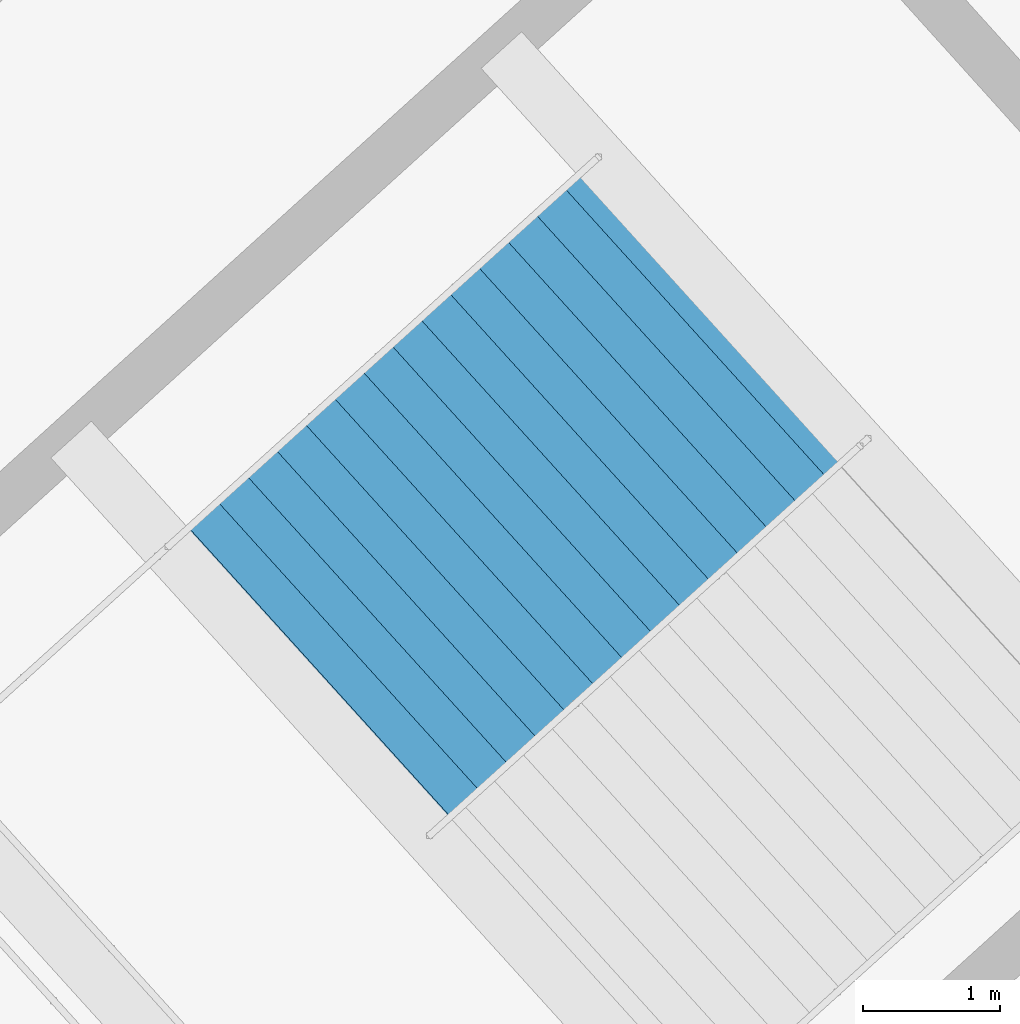
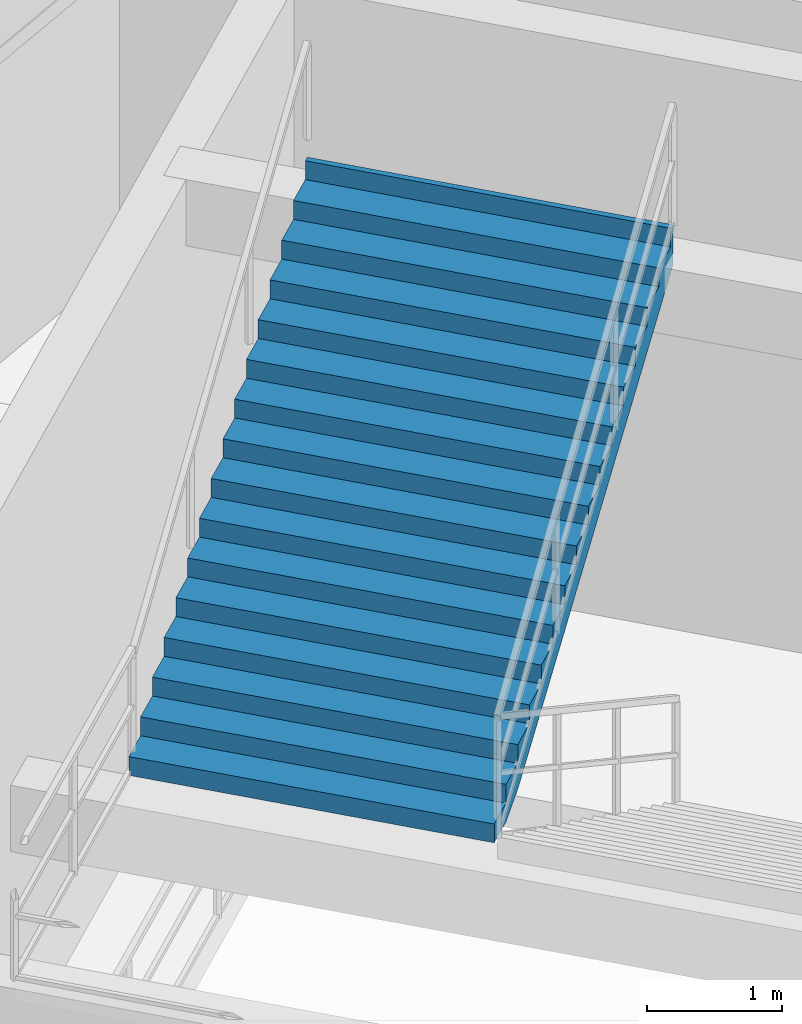
# One storey, part 160 of 186: 1 stair flight, 1 element without a shape of its own.
"""IFC4 building model written with IfcOpenShell, lengths in metres."""

from ifc_helpers import new_model, si_unit, direction, frame, origin, place, context, subcontext, project, spatial, polygons, material, type_object, element, aggregate, save


model = new_model("IFC4")

# Units and contexts
model_context = context("Model", 3, precision=1e-05, world=origin(), true_north=direction((0.0, 1.0)))
body_context = subcontext(model_context, "Body", "Model", "MODEL_VIEW")
ifc_project = project(units=[si_unit("LENGTHUNIT", "METRE"), si_unit("AREAUNIT", "SQUARE_METRE"), si_unit("VOLUMEUNIT", "CUBIC_METRE"), si_unit("PLANEANGLEUNIT", "RADIAN"), si_unit("MASSUNIT", "GRAM", prefix="KILO")], contexts=[model_context])

# Site, building, storey
site_placement = place(None, origin())
site = spatial("IfcSite", under=ifc_project, at=site_placement, CompositionType="ELEMENT")
building_placement = place(site_placement, origin())
building = spatial("IfcBuilding", under=site, at=building_placement, Name="Kazemori Nagisa Stadium", CompositionType="ELEMENT")
storey_placement = place(building_placement, frame((0.0, 0.0, 20.39990234375)))
storey = spatial("IfcBuildingStorey", under=building, at=storey_placement, Name="L04", CompositionType="ELEMENT", Elevation=20.39990234375)

# Stair, stair flight
ifc_material = material(Name="Concrete C36/45 (Fc36)", Category="concrete")
stair_type = type_object("IfcStairType", Name="Stair_CORE_32", PredefinedType="TWO_STRAIGHT_RUN_STAIR", material=ifc_material)
stair_placement = place(storey_placement, origin())
stair = element("IfcStair", 1, at=stair_placement, inside=storey, type_object=stair_type, Name="Exit stair ST02 L04", PredefinedType="TWO_STRAIGHT_RUN_STAIR")
stair_flight_type = type_object("IfcStairFlightType", Name="Flight_CORE_16", PredefinedType="STRAIGHT", material=ifc_material)
stair_flight_placement = place(storey_placement, frame((58.0458984375, 163.74609375, 2.72021484375), z_axis=(0.0, 0.0, 1.0), x_axis=(0.741328742395, 0.671142083093, 0.0)))
stair_flight = element("IfcStairFlight", 2, at=stair_flight_placement, type_object=stair_flight_type, Name="Exit stair ST02 L04 flight 2", NumberOfRisers=16, NumberOfTreads=15, PredefinedType="STRAIGHT", RiserHeight=0.17, TreadLength=0.285, context=body_context, shape_type="Tessellation", body=[
    polygons([(0.0, -1.425048828125, 0.0), (0.0, -1.425048828125, 0.169921875), (0.284912109375, -1.425048828125, 0.169921875), (0.284912109375, -1.425048828125, 0.340087890625), (0.570068359375, -1.425048828125, 0.340087890625), (0.570068359375, -1.425048828125, 0.510009765625), (0.85498046875, -1.425048828125, 0.510009765625), (0.85498046875, -1.425048828125, 0.679931640625), (1.139892578125, -1.425048828125, 0.679931640625), (1.139892578125, -1.425048828125, 0.85009765625), (1.425048828125, -1.425048828125, 0.85009765625), (1.425048828125, -1.425048828125, 1.02001953125), (1.7099609375, -1.425048828125, 1.02001953125), (1.7099609375, -1.425048828125, 1.18994140625), (1.9951171875, -1.425048828125, 1.18994140625), (1.9951171875, -1.425048828125, 1.360107421875), (2.280029296875, -1.425048828125, 1.360107421875), (2.280029296875, -1.425048828125, 1.530029296875), (2.56494140625, -1.425048828125, 1.530029296875), (2.56494140625, -1.425048828125, 1.699951171875), (2.85009765625, -1.425048828125, 1.699951171875), (2.85009765625, -1.425048828125, 1.8701171875), (3.135009765625, -1.425048828125, 1.8701171875), (3.135009765625, -1.425048828125, 2.0400390625), (3.419921875, -1.425048828125, 2.0400390625), (3.419921875, -1.425048828125, 2.2099609375), (3.705078125, -1.425048828125, 2.2099609375), (3.705078125, -1.425048828125, 2.3798828125), (3.989990234375, -1.425048828125, 2.3798828125), (3.989990234375, -1.425048828125, 2.550048828125), (4.27490234375, -1.425048828125, 2.550048828125), (4.27490234375, -1.425048828125, 2.719970703125), (4.324951171875, -1.425048828125, 2.719970703125), (4.324951171875, -1.425048828125, 2.346923828125), (4.27490234375, -1.425048828125, 2.317138671875), (3.989990234375, -1.425048828125, 2.147216796875), (3.705078125, -1.425048828125, 1.977294921875), (3.419921875, -1.425048828125, 1.80712890625), (3.135009765625, -1.425048828125, 1.63720703125), (2.85009765625, -1.425048828125, 1.46728515625), (2.56494140625, -1.425048828125, 1.297119140625), (2.280029296875, -1.425048828125, 1.127197265625), (1.9951171875, -1.425048828125, 0.957275390625), (1.7099609375, -1.425048828125, 0.787109375), (1.425048828125, -1.425048828125, 0.6171875), (1.139892578125, -1.425048828125, 0.447265625), (0.85498046875, -1.425048828125, 0.277099609375), (0.570068359375, -1.425048828125, 0.107177734375), (0.284912109375, -1.425048828125, 0.0), (0.0, -0.08544921875, 0.0), (0.0, -0.08544921875, 0.169921875), (0.284912109375, -0.08544921875, 0.169921875), (0.284912109375, -0.08544921875, 0.340087890625), (0.570068359375, -0.08544921875, 0.340087890625), (0.570068359375, -0.08544921875, 0.510009765625), (0.85498046875, -0.08544921875, 0.510009765625), (0.85498046875, -0.08544921875, 0.679931640625), (1.139892578125, -0.08544921875, 0.679931640625), (1.139892578125, -0.08544921875, 0.85009765625), (1.425048828125, -0.08544921875, 0.85009765625), (1.425048828125, -0.08544921875, 1.02001953125), (1.7099609375, -0.08544921875, 1.02001953125), (1.7099609375, -0.08544921875, 1.18994140625), (1.9951171875, -0.08544921875, 1.18994140625), (1.9951171875, -0.08544921875, 1.360107421875), (2.280029296875, -0.08544921875, 1.360107421875), (2.280029296875, -0.08544921875, 1.530029296875), (2.56494140625, -0.08544921875, 1.530029296875), (2.56494140625, -0.08544921875, 1.699951171875), (2.85009765625, -0.08544921875, 1.699951171875), (2.85009765625, -0.08544921875, 1.8701171875), (3.135009765625, -0.08544921875, 1.8701171875), (3.135009765625, -0.08544921875, 2.0400390625), (3.419921875, -0.08544921875, 2.0400390625), (3.419921875, -0.08544921875, 2.2099609375), (3.705078125, -0.08544921875, 2.2099609375), (3.705078125, -0.08544921875, 2.3798828125), (3.989990234375, -0.08544921875, 2.3798828125), (3.989990234375, -0.08544921875, 2.550048828125), (4.27490234375, -0.08544921875, 2.550048828125), (4.27490234375, -0.08544921875, 2.719970703125), (4.324951171875, -0.08544921875, 2.719970703125), (4.324951171875, -0.08544921875, 2.346923828125), (4.27490234375, -0.08544921875, 2.317138671875), (3.989990234375, -0.08544921875, 2.147216796875), (3.705078125, -0.08544921875, 1.977294921875), (3.419921875, -0.08544921875, 1.80712890625), (3.135009765625, -0.08544921875, 1.63720703125), (2.85009765625, -0.08544921875, 1.46728515625), (2.56494140625, -0.08544921875, 1.297119140625), (2.280029296875, -0.08544921875, 1.127197265625), (1.9951171875, -0.08544921875, 0.957275390625), (1.7099609375, -0.08544921875, 0.787109375), (1.425048828125, -0.08544921875, 0.6171875), (1.139892578125, -0.08544921875, 0.447265625), (0.85498046875, -0.08544921875, 0.277099609375), (0.570068359375, -0.08544921875, 0.107177734375), (0.284912109375, -0.08544921875, 0.0), (0.0, 0.0, 0.0), (0.0, 0.0, 0.169921875), (0.284912109375, 0.0, 0.169921875), (0.284912109375, 0.0, 0.340087890625), (0.570068359375, 0.0, 0.340087890625), (0.570068359375, 0.0, 0.510009765625), (0.85498046875, 0.0, 0.510009765625), (0.85498046875, 0.0, 0.679931640625), (1.139892578125, 0.0, 0.679931640625), (1.139892578125, 0.0, 0.85009765625), (1.425048828125, 0.0, 0.85009765625), (1.425048828125, 0.0, 1.02001953125), (1.7099609375, 0.0, 1.02001953125), (1.7099609375, 0.0, 1.18994140625), (1.9951171875, 0.0, 1.18994140625), (1.9951171875, 0.0, 1.360107421875), (2.280029296875, 0.0, 1.360107421875), (2.280029296875, 0.0, 1.530029296875), (2.56494140625, 0.0, 1.530029296875), (2.56494140625, 0.0, 1.699951171875), (2.85009765625, 0.0, 1.699951171875), (2.85009765625, 0.0, 1.8701171875), (3.135009765625, 0.0, 1.8701171875), (3.135009765625, 0.0, 2.0400390625), (3.419921875, 0.0, 2.0400390625), (3.419921875, 0.0, 2.2099609375), (3.705078125, 0.0, 2.2099609375), (3.705078125, 0.0, 2.3798828125), (3.989990234375, 0.0, 2.3798828125), (3.989990234375, 0.0, 2.550048828125), (4.27490234375, 0.0, 2.550048828125), (4.27490234375, 0.0, 2.719970703125), (4.324951171875, 0.0, 2.719970703125), (4.324951171875, 0.0, 2.346923828125), (4.27490234375, 0.0, 2.317138671875), (3.989990234375, 0.0, 2.147216796875), (3.705078125, 0.0, 1.977294921875), (3.419921875, 0.0, 1.80712890625), (3.135009765625, 0.0, 1.63720703125), (2.85009765625, 0.0, 1.46728515625), (2.56494140625, 0.0, 1.297119140625), (2.280029296875, 0.0, 1.127197265625), (1.9951171875, 0.0, 0.957275390625), (1.7099609375, 0.0, 0.787109375), (1.425048828125, 0.0, 0.6171875), (1.139892578125, 0.0, 0.447265625), (0.85498046875, 0.0, 0.277099609375), (0.570068359375, 0.0, 0.107177734375), (0.284912109375, 0.0, 0.0), (0.0, 0.08544921875, 0.0), (0.0, 0.08544921875, 0.169921875), (0.284912109375, 0.08544921875, 0.169921875), (0.284912109375, 0.08544921875, 0.340087890625), (0.570068359375, 0.08544921875, 0.340087890625), (0.570068359375, 0.08544921875, 0.510009765625), (0.85498046875, 0.08544921875, 0.510009765625), (0.85498046875, 0.08544921875, 0.679931640625), (1.139892578125, 0.08544921875, 0.679931640625), (1.139892578125, 0.08544921875, 0.85009765625), (1.425048828125, 0.08544921875, 0.85009765625), (1.425048828125, 0.08544921875, 1.02001953125), (1.7099609375, 0.08544921875, 1.02001953125), (1.7099609375, 0.08544921875, 1.18994140625), (1.9951171875, 0.08544921875, 1.18994140625), (1.9951171875, 0.08544921875, 1.360107421875), (2.280029296875, 0.08544921875, 1.360107421875), (2.280029296875, 0.08544921875, 1.530029296875), (2.56494140625, 0.08544921875, 1.530029296875), (2.56494140625, 0.08544921875, 1.699951171875), (2.85009765625, 0.08544921875, 1.699951171875), (2.85009765625, 0.08544921875, 1.8701171875), (3.135009765625, 0.08544921875, 1.8701171875), (3.135009765625, 0.08544921875, 2.0400390625), (3.419921875, 0.08544921875, 2.0400390625), (3.419921875, 0.08544921875, 2.2099609375), (3.705078125, 0.08544921875, 2.2099609375), (3.705078125, 0.08544921875, 2.3798828125), (3.989990234375, 0.08544921875, 2.3798828125), (3.989990234375, 0.08544921875, 2.550048828125), (4.27490234375, 0.08544921875, 2.550048828125), (4.27490234375, 0.08544921875, 2.719970703125), (4.324951171875, 0.08544921875, 2.719970703125), (4.324951171875, 0.08544921875, 2.346923828125), (4.27490234375, 0.08544921875, 2.317138671875), (3.989990234375, 0.08544921875, 2.147216796875), (3.705078125, 0.08544921875, 1.977294921875), (3.419921875, 0.08544921875, 1.80712890625), (3.135009765625, 0.08544921875, 1.63720703125), (2.85009765625, 0.08544921875, 1.46728515625), (2.56494140625, 0.08544921875, 1.297119140625), (2.280029296875, 0.08544921875, 1.127197265625), (1.9951171875, 0.08544921875, 0.957275390625), (1.7099609375, 0.08544921875, 0.787109375), (1.425048828125, 0.08544921875, 0.6171875), (1.139892578125, 0.08544921875, 0.447265625), (0.85498046875, 0.08544921875, 0.277099609375), (0.570068359375, 0.08544921875, 0.107177734375), (0.284912109375, 0.08544921875, 0.0), (0.0, 1.425048828125, 0.0), (0.0, 1.425048828125, 0.169921875), (0.284912109375, 1.425048828125, 0.169921875), (0.284912109375, 1.425048828125, 0.340087890625), (0.570068359375, 1.425048828125, 0.340087890625), (0.570068359375, 1.425048828125, 0.510009765625), (0.85498046875, 1.425048828125, 0.510009765625), (0.85498046875, 1.425048828125, 0.679931640625), (1.139892578125, 1.425048828125, 0.679931640625), (1.139892578125, 1.425048828125, 0.85009765625), (1.425048828125, 1.425048828125, 0.85009765625), (1.425048828125, 1.425048828125, 1.02001953125), (1.7099609375, 1.425048828125, 1.02001953125), (1.7099609375, 1.425048828125, 1.18994140625), (1.9951171875, 1.425048828125, 1.18994140625), (1.9951171875, 1.425048828125, 1.360107421875), (2.280029296875, 1.425048828125, 1.360107421875), (2.280029296875, 1.425048828125, 1.530029296875), (2.56494140625, 1.425048828125, 1.530029296875), (2.56494140625, 1.425048828125, 1.699951171875), (2.85009765625, 1.425048828125, 1.699951171875), (2.85009765625, 1.425048828125, 1.8701171875), (3.135009765625, 1.425048828125, 1.8701171875), (3.135009765625, 1.425048828125, 2.0400390625), (3.419921875, 1.425048828125, 2.0400390625), (3.419921875, 1.425048828125, 2.2099609375), (3.705078125, 1.425048828125, 2.2099609375), (3.705078125, 1.425048828125, 2.3798828125), (3.989990234375, 1.425048828125, 2.3798828125), (3.989990234375, 1.425048828125, 2.550048828125), (4.27490234375, 1.425048828125, 2.550048828125), (4.27490234375, 1.425048828125, 2.719970703125), (4.324951171875, 1.425048828125, 2.719970703125), (4.324951171875, 1.425048828125, 2.346923828125), (4.27490234375, 1.425048828125, 2.317138671875), (3.989990234375, 1.425048828125, 2.147216796875), (3.705078125, 1.425048828125, 1.977294921875), (3.419921875, 1.425048828125, 1.80712890625), (3.135009765625, 1.425048828125, 1.63720703125), (2.85009765625, 1.425048828125, 1.46728515625), (2.56494140625, 1.425048828125, 1.297119140625), (2.280029296875, 1.425048828125, 1.127197265625), (1.9951171875, 1.425048828125, 0.957275390625), (1.7099609375, 1.425048828125, 0.787109375), (1.425048828125, 1.425048828125, 0.6171875), (1.139892578125, 1.425048828125, 0.447265625), (0.85498046875, 1.425048828125, 0.277099609375), (0.570068359375, 1.425048828125, 0.107177734375), (0.284912109375, 1.425048828125, 0.0)], [[[1, 2, 51]], [[1, 51, 50]], [[2, 3, 52]], [[2, 52, 51]], [[3, 4, 53]], [[3, 53, 52]], [[4, 5, 54]], [[4, 54, 53]], [[5, 6, 55]], [[5, 55, 54]], [[6, 7, 56]], [[6, 56, 55]], [[7, 8, 57]], [[7, 57, 56]], [[8, 9, 58]], [[8, 58, 57]], [[9, 10, 59]], [[9, 59, 58]], [[10, 11, 60]], [[10, 60, 59]], [[11, 12, 61]], [[11, 61, 60]], [[12, 13, 62]], [[12, 62, 61]], [[13, 14, 63]], [[13, 63, 62]], [[14, 15, 64]], [[14, 64, 63]], [[15, 16, 65]], [[15, 65, 64]], [[16, 17, 66]], [[16, 66, 65]], [[17, 18, 67]], [[17, 67, 66]], [[18, 19, 68]], [[18, 68, 67]], [[19, 20, 69]], [[19, 69, 68]], [[20, 21, 70]], [[20, 70, 69]], [[21, 22, 71]], [[21, 71, 70]], [[22, 23, 72]], [[22, 72, 71]], [[23, 24, 73]], [[23, 73, 72]], [[24, 25, 74]], [[24, 74, 73]], [[25, 26, 75]], [[25, 75, 74]], [[26, 27, 76]], [[26, 76, 75]], [[27, 28, 77]], [[27, 77, 76]], [[28, 29, 78]], [[28, 78, 77]], [[29, 30, 79]], [[29, 79, 78]], [[30, 31, 80]], [[30, 80, 79]], [[31, 32, 81]], [[31, 81, 80]], [[32, 33, 82]], [[32, 82, 81]], [[33, 34, 83]], [[33, 83, 82]], [[34, 35, 84]], [[34, 84, 83]], [[35, 36, 85]], [[35, 85, 84]], [[36, 37, 86]], [[36, 86, 85]], [[37, 38, 87]], [[37, 87, 86]], [[38, 39, 88]], [[38, 88, 87]], [[39, 40, 89]], [[39, 89, 88]], [[40, 41, 90]], [[40, 90, 89]], [[41, 42, 91]], [[41, 91, 90]], [[42, 43, 92]], [[42, 92, 91]], [[43, 44, 93]], [[43, 93, 92]], [[44, 45, 94]], [[44, 94, 93]], [[45, 46, 95]], [[45, 95, 94]], [[46, 47, 96]], [[46, 96, 95]], [[47, 48, 97]], [[47, 97, 96]], [[48, 49, 98]], [[48, 98, 97]], [[49, 1, 50]], [[49, 50, 98]], [[50, 51, 100]], [[50, 100, 99]], [[51, 52, 101]], [[51, 101, 100]], [[52, 53, 102]], [[52, 102, 101]], [[53, 54, 103]], [[53, 103, 102]], [[54, 55, 104]], [[54, 104, 103]], [[55, 56, 105]], [[55, 105, 104]], [[56, 57, 106]], [[56, 106, 105]], [[57, 58, 107]], [[57, 107, 106]], [[58, 59, 108]], [[58, 108, 107]], [[59, 60, 109]], [[59, 109, 108]], [[60, 61, 110]], [[60, 110, 109]], [[61, 62, 111]], [[61, 111, 110]], [[62, 63, 112]], [[62, 112, 111]], [[63, 64, 113]], [[63, 113, 112]], [[64, 65, 114]], [[64, 114, 113]], [[65, 66, 115]], [[65, 115, 114]], [[66, 67, 116]], [[66, 116, 115]], [[67, 68, 117]], [[67, 117, 116]], [[68, 69, 118]], [[68, 118, 117]], [[69, 70, 119]], [[69, 119, 118]], [[70, 71, 120]], [[70, 120, 119]], [[71, 72, 121]], [[71, 121, 120]], [[72, 73, 122]], [[72, 122, 121]], [[73, 74, 123]], [[73, 123, 122]], [[74, 75, 124]], [[74, 124, 123]], [[75, 76, 125]], [[75, 125, 124]], [[76, 77, 126]], [[76, 126, 125]], [[77, 78, 127]], [[77, 127, 126]], [[78, 79, 128]], [[78, 128, 127]], [[79, 80, 129]], [[79, 129, 128]], [[80, 81, 130]], [[80, 130, 129]], [[81, 82, 131]], [[81, 131, 130]], [[82, 83, 132]], [[82, 132, 131]], [[83, 84, 133]], [[83, 133, 132]], [[84, 85, 134]], [[84, 134, 133]], [[85, 86, 135]], [[85, 135, 134]], [[86, 87, 136]], [[86, 136, 135]], [[87, 88, 137]], [[87, 137, 136]], [[88, 89, 138]], [[88, 138, 137]], [[89, 90, 139]], [[89, 139, 138]], [[90, 91, 140]], [[90, 140, 139]], [[91, 92, 141]], [[91, 141, 140]], [[92, 93, 142]], [[92, 142, 141]], [[93, 94, 143]], [[93, 143, 142]], [[94, 95, 144]], [[94, 144, 143]], [[95, 96, 145]], [[95, 145, 144]], [[96, 97, 146]], [[96, 146, 145]], [[97, 98, 147]], [[97, 147, 146]], [[98, 50, 99]], [[98, 99, 147]], [[99, 100, 149]], [[99, 149, 148]], [[100, 101, 150]], [[100, 150, 149]], [[101, 102, 151]], [[101, 151, 150]], [[102, 103, 152]], [[102, 152, 151]], [[103, 104, 153]], [[103, 153, 152]], [[104, 105, 154]], [[104, 154, 153]], [[105, 106, 155]], [[105, 155, 154]], [[106, 107, 156]], [[106, 156, 155]], [[107, 108, 157]], [[107, 157, 156]], [[108, 109, 158]], [[108, 158, 157]], [[109, 110, 159]], [[109, 159, 158]], [[110, 111, 160]], [[110, 160, 159]], [[111, 112, 161]], [[111, 161, 160]], [[112, 113, 162]], [[112, 162, 161]], [[113, 114, 163]], [[113, 163, 162]], [[114, 115, 164]], [[114, 164, 163]], [[115, 116, 165]], [[115, 165, 164]], [[116, 117, 166]], [[116, 166, 165]], [[117, 118, 167]], [[117, 167, 166]], [[118, 119, 168]], [[118, 168, 167]], [[119, 120, 169]], [[119, 169, 168]], [[120, 121, 170]], [[120, 170, 169]], [[121, 122, 171]], [[121, 171, 170]], [[122, 123, 172]], [[122, 172, 171]], [[123, 124, 173]], [[123, 173, 172]], [[124, 125, 174]], [[124, 174, 173]], [[125, 126, 175]], [[125, 175, 174]], [[126, 127, 176]], [[126, 176, 175]], [[127, 128, 177]], [[127, 177, 176]], [[128, 129, 178]], [[128, 178, 177]], [[129, 130, 179]], [[129, 179, 178]], [[130, 131, 180]], [[130, 180, 179]], [[131, 132, 181]], [[131, 181, 180]], [[132, 133, 182]], [[132, 182, 181]], [[133, 134, 183]], [[133, 183, 182]], [[134, 135, 184]], [[134, 184, 183]], [[135, 136, 185]], [[135, 185, 184]], [[136, 137, 186]], [[136, 186, 185]], [[137, 138, 187]], [[137, 187, 186]], [[138, 139, 188]], [[138, 188, 187]], [[139, 140, 189]], [[139, 189, 188]], [[140, 141, 190]], [[140, 190, 189]], [[141, 142, 191]], [[141, 191, 190]], [[142, 143, 192]], [[142, 192, 191]], [[143, 144, 193]], [[143, 193, 192]], [[144, 145, 194]], [[144, 194, 193]], [[145, 146, 195]], [[145, 195, 194]], [[146, 147, 196]], [[146, 196, 195]], [[147, 99, 148]], [[147, 148, 196]], [[148, 149, 198]], [[148, 198, 197]], [[149, 150, 199]], [[149, 199, 198]], [[150, 151, 200]], [[150, 200, 199]], [[151, 152, 201]], [[151, 201, 200]], [[152, 153, 202]], [[152, 202, 201]], [[153, 154, 203]], [[153, 203, 202]], [[154, 155, 204]], [[154, 204, 203]], [[155, 156, 205]], [[155, 205, 204]], [[156, 157, 206]], [[156, 206, 205]], [[157, 158, 207]], [[157, 207, 206]], [[158, 159, 208]], [[158, 208, 207]], [[159, 160, 209]], [[159, 209, 208]], [[160, 161, 210]], [[160, 210, 209]], [[161, 162, 211]], [[161, 211, 210]], [[162, 163, 212]], [[162, 212, 211]], [[163, 164, 213]], [[163, 213, 212]], [[164, 165, 214]], [[164, 214, 213]], [[165, 166, 215]], [[165, 215, 214]], [[166, 167, 216]], [[166, 216, 215]], [[167, 168, 217]], [[167, 217, 216]], [[168, 169, 218]], [[168, 218, 217]], [[169, 170, 219]], [[169, 219, 218]], [[170, 171, 220]], [[170, 220, 219]], [[171, 172, 221]], [[171, 221, 220]], [[172, 173, 222]], [[172, 222, 221]], [[173, 174, 223]], [[173, 223, 222]], [[174, 175, 224]], [[174, 224, 223]], [[175, 176, 225]], [[175, 225, 224]], [[176, 177, 226]], [[176, 226, 225]], [[177, 178, 227]], [[177, 227, 226]], [[178, 179, 228]], [[178, 228, 227]], [[179, 180, 229]], [[179, 229, 228]], [[180, 181, 230]], [[180, 230, 229]], [[181, 182, 231]], [[181, 231, 230]], [[182, 183, 232]], [[182, 232, 231]], [[183, 184, 233]], [[183, 233, 232]], [[184, 185, 234]], [[184, 234, 233]], [[185, 186, 235]], [[185, 235, 234]], [[186, 187, 236]], [[186, 236, 235]], [[187, 188, 237]], [[187, 237, 236]], [[188, 189, 238]], [[188, 238, 237]], [[189, 190, 239]], [[189, 239, 238]], [[190, 191, 240]], [[190, 240, 239]], [[191, 192, 241]], [[191, 241, 240]], [[192, 193, 242]], [[192, 242, 241]], [[193, 194, 243]], [[193, 243, 242]], [[194, 195, 244]], [[194, 244, 243]], [[195, 196, 245]], [[195, 245, 244]], [[196, 148, 197]], [[196, 197, 245]], [[3, 2, 1]], [[197, 198, 199]], [[49, 3, 1]], [[197, 199, 245]], [[48, 3, 49]], [[245, 199, 244]], [[5, 3, 48]], [[244, 199, 201]], [[5, 4, 3]], [[199, 200, 201]], [[47, 5, 48]], [[244, 201, 243]], [[7, 5, 47]], [[243, 201, 203]], [[7, 6, 5]], [[201, 202, 203]], [[46, 7, 47]], [[243, 203, 242]], [[9, 7, 46]], [[242, 203, 205]], [[9, 8, 7]], [[203, 204, 205]], [[45, 9, 46]], [[242, 205, 241]], [[11, 9, 45]], [[241, 205, 207]], [[11, 10, 9]], [[205, 206, 207]], [[44, 11, 45]], [[241, 207, 240]], [[13, 11, 44]], [[240, 207, 209]], [[13, 12, 11]], [[207, 208, 209]], [[43, 13, 44]], [[240, 209, 239]], [[15, 13, 43]], [[239, 209, 211]], [[15, 14, 13]], [[209, 210, 211]], [[42, 15, 43]], [[239, 211, 238]], [[17, 15, 42]], [[238, 211, 213]], [[17, 16, 15]], [[211, 212, 213]], [[41, 17, 42]], [[238, 213, 237]], [[19, 17, 41]], [[237, 213, 215]], [[19, 18, 17]], [[213, 214, 215]], [[40, 19, 41]], [[237, 215, 236]], [[21, 19, 40]], [[236, 215, 217]], [[21, 20, 19]], [[215, 216, 217]], [[39, 21, 40]], [[236, 217, 235]], [[23, 21, 39]], [[235, 217, 219]], [[23, 22, 21]], [[217, 218, 219]], [[38, 23, 39]], [[235, 219, 234]], [[25, 23, 38]], [[234, 219, 221]], [[25, 24, 23]], [[219, 220, 221]], [[37, 25, 38]], [[234, 221, 233]], [[27, 25, 37]], [[233, 221, 223]], [[27, 26, 25]], [[221, 222, 223]], [[36, 27, 37]], [[233, 223, 232]], [[29, 27, 36]], [[232, 223, 225]], [[29, 28, 27]], [[223, 224, 225]], [[35, 29, 36]], [[232, 225, 231]], [[31, 29, 35]], [[231, 225, 227]], [[31, 30, 29]], [[225, 226, 227]], [[34, 31, 35]], [[231, 227, 230]], [[33, 31, 34]], [[230, 227, 229]], [[33, 32, 31]], [[227, 228, 229]]], closed=True),
])
aggregate(stair, [stair_flight])

save(model, "model.ifc")
